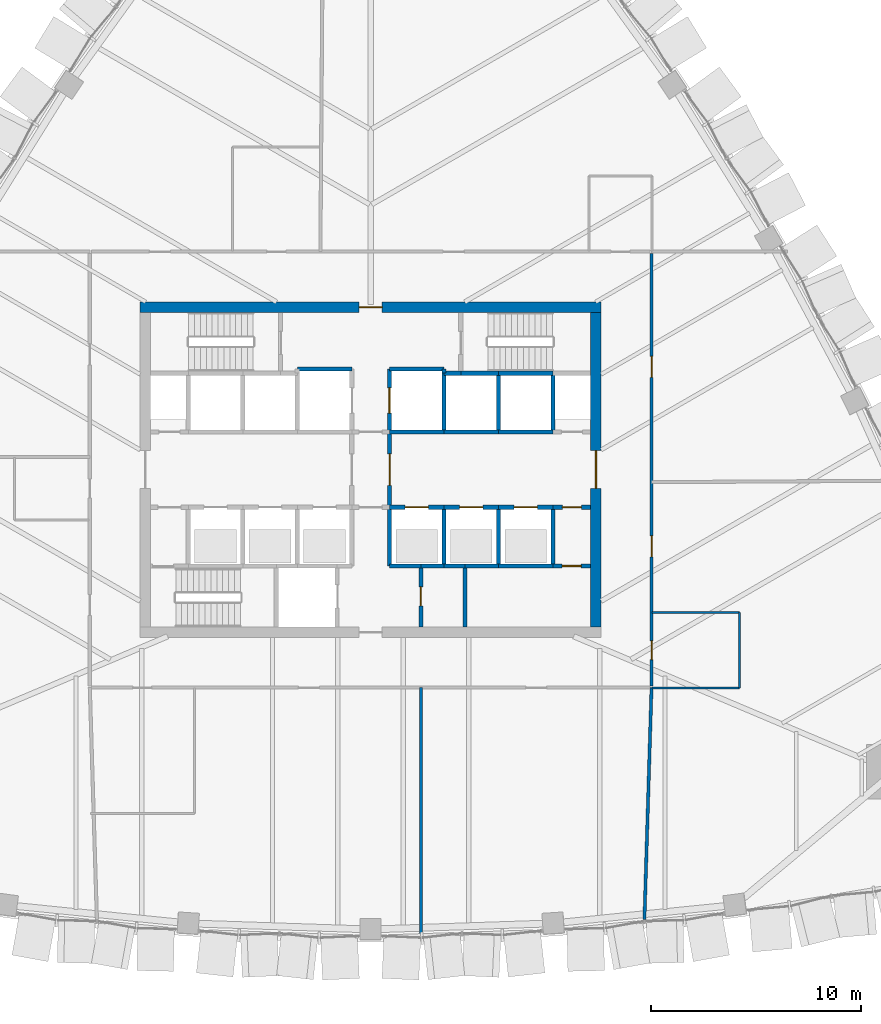
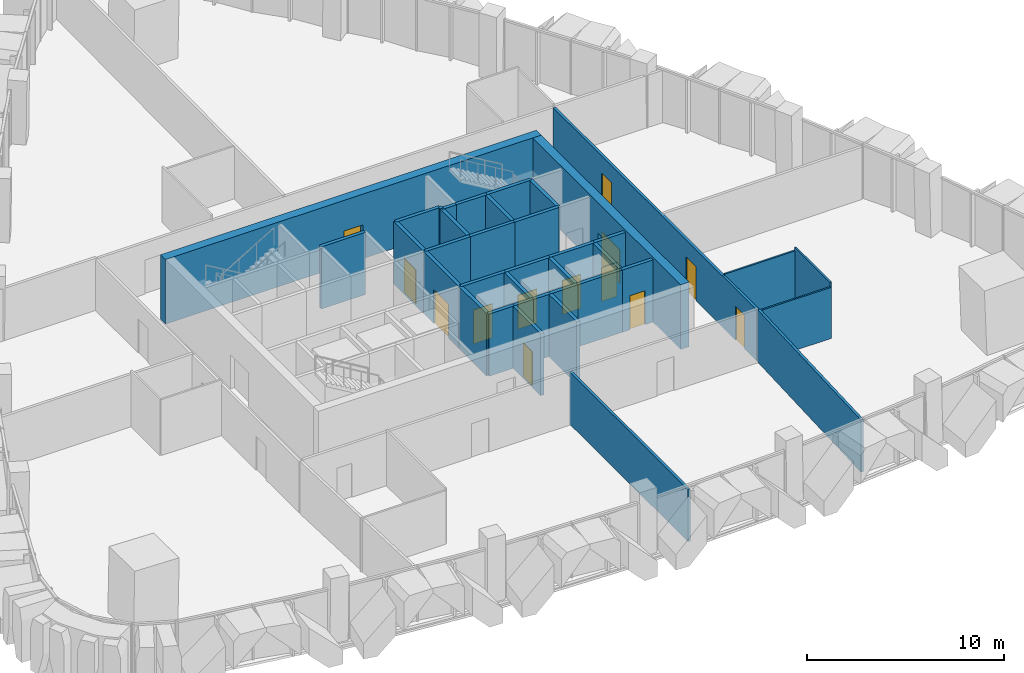
# One storey, part 13 of 18: 38 walls, 13 doors, 13 openings.
"""IFC4 building model written with IfcOpenShell, lengths in metres."""

from ifc_helpers import new_model, si_unit, direction, frame, frame_2d, origin, place, context, subcontext, project, spatial, rectangle, extrude, material, layer, layer_set, type_object, element, fill, save


model = new_model("IFC4")

# Units and contexts
model_context = context("Model", 3, precision=1e-05, world=origin(), true_north=direction((0.0, 1.0)))
body_context = subcontext(model_context, "Body", "Model", "MODEL_VIEW")
ifc_project = project(units=[si_unit("LENGTHUNIT", "METRE"), si_unit("AREAUNIT", "SQUARE_METRE"), si_unit("VOLUMEUNIT", "CUBIC_METRE"), si_unit("PLANEANGLEUNIT", "RADIAN"), si_unit("MASSUNIT", "GRAM", prefix="KILO")], contexts=[model_context])

# Site, building, storey
site_placement = place(None, origin())
site = spatial("IfcSite", under=ifc_project, at=site_placement, CompositionType="ELEMENT")
building_placement = place(site_placement, origin())
building = spatial("IfcBuilding", under=site, at=building_placement, Name="Sierra Prisma Convention Tower", CompositionType="ELEMENT")
storey_placement = place(building_placement, frame((0.0, 0.0, 129.800048828125)))
storey = spatial("IfcBuildingStorey", under=building, at=storey_placement, Name="L27", CompositionType="ELEMENT", Elevation=129.800048828125)

# Walls
ifc_material_1 = material(Name="Gypsum board partition", Category="gypsum")
ifc_layer_1 = layer(ifc_material_1, 0.10009765625)
ifc_layer_set_1 = layer_set([ifc_layer_1], Name="Bathroom partition 100")
wall_type_1 = type_object("IfcWallType", Name="Bathroom partition 100", PredefinedType="PARTITIONING", material=ifc_layer_set_1)
wall_1_placement = place(storey_placement, frame((13.429931640625, -6.820068359375, 0.0), z_axis=(0.0, 0.0, 1.0), x_axis=(1.0, 0.0, 0.0)))
element("IfcWall", 1, at=wall_1_placement, inside=storey, type_object=wall_type_1, Name="Partition L27 bath 10", PredefinedType="PARTITIONING", context=body_context, shape_type="SweptSolid", body=[
    extrude(rectangle(XDim=4.170166015625, YDim=0.10009765625, at=frame_2d((2.0849609375, 0.0))), origin(), (0.0, 0.0, 1.0), 3.2470703125),
])
wall_2_placement = place(storey_placement, frame((17.60009765625, -6.820068359375, 0.0), z_axis=(0.0, 0.0, 1.0), x_axis=(0.0, -1.0, 0.0)))
element("IfcWall", 2, at=wall_2_placement, inside=storey, type_object=wall_type_1, Name="Partition L27 bath 11", PredefinedType="PARTITIONING", context=body_context, shape_type="SweptSolid", body=[
    extrude(rectangle(XDim=3.599853515625, YDim=0.10009765625, at=frame_2d((1.7998046875, 0.0))), origin(), (0.0, 0.0, 1.0), 3.449951171875),
])
wall_3_placement = place(storey_placement, frame((17.60009765625, -10.419921875, 0.0), z_axis=(0.0, 0.0, 1.0), x_axis=(-1.0, 0.0, 0.0)))
element("IfcWall", 3, at=wall_3_placement, inside=storey, type_object=wall_type_1, Name="Partition L27 bath 12", PredefinedType="PARTITIONING", context=body_context, shape_type="SweptSolid", body=[
    extrude(rectangle(XDim=4.170166015625, YDim=0.10009765625, at=frame_2d((2.0849609375, 0.0))), origin(), (0.0, 0.0, 1.0), 3.166015625),
])
ifc_material_2 = material(Name="Concrete C30/37", Category="concrete")
ifc_layer_2 = layer(ifc_material_2, 0.199951171875)
ifc_layer_set_2 = layer_set([ifc_layer_2], Name="Core wall RC 200 C30/37")
wall_type_2 = type_object("IfcWallType", Name="Core wall RC 200 C30/37", PredefinedType="SOLIDWALL", material=ifc_layer_set_2)
wall_4_placement = place(storey_placement, frame((-0.89990234375, 4.800048828125, 0.0), z_axis=(0.0, 0.0, 1.0), x_axis=(-1.0, 0.0, 0.0)))
element("IfcWall", 4, at=wall_4_placement, inside=storey, type_object=wall_type_2, Name="Core wall L27 27", PredefinedType="SOLIDWALL", context=body_context, shape_type="SweptSolid", body=[
    extrude(rectangle(XDim=2.60009765625, YDim=0.199951171875, at=frame_2d((1.300048828125, 0.0))), origin(), (0.0, 0.0, 1.0), 3.849853515625),
])

# Wall, opening, door
wall_5_placement = place(storey_placement, frame((0.89990234375, -1.800048828125, 0.0), z_axis=(0.0, 0.0, 1.0), x_axis=(1.0, 0.0, 0.0)))
wall_5 = element("IfcWall", 5, at=wall_5_placement, inside=storey, type_object=wall_type_2, Name="Core wall L27 35", PredefinedType="SOLIDWALL", context=body_context, shape_type="SweptSolid", body=[
    extrude(rectangle(XDim=2.60009765625, YDim=0.199951171875, at=frame_2d((1.300048828125, 0.0))), origin(), (0.0, 0.0, 1.0), 3.849853515625),
])
opening_1_placement = place(wall_5_placement, frame((0.75, 0.0, 0.0)))
opening_1 = element("IfcOpeningElement", 6, at=opening_1_placement, cuts=wall_5, Name="Opening L27-D004", PredefinedType="OPENING", context=body_context, shape_type="SweptSolid", body=[
    extrude(rectangle(XDim=1.10009765625, YDim=2.10009765625, at=frame_2d((0.550048828125, 1.050048828125))), frame((0.0, 0.10009765625, 0.0), z_axis=(0.0, -1.0, 0.0), x_axis=(1.0, 0.0, 0.0)), (0.0, 0.0, 1.0), 0.199951171875),
])
ifc_material_3 = material(Name="Steel fire door leaf", Category="steel")
door_type_1 = type_object("IfcDoorType", Name="Door 1100x2100 EI 90 sliding lift landing", OperationType="SLIDING_TO_LEFT", PredefinedType="DOOR", material=ifc_material_3)
door_1_placement = place(opening_1_placement, origin())
door_1 = element("IfcDoor", 7, at=door_1_placement, inside=storey, type_object=door_type_1, Name="Door L27 17", OperationType="SLIDING_TO_RIGHT", OverallHeight=2.10009765625, OverallWidth=1.10009765625, PredefinedType="DOOR", context=body_context, shape_type="SweptSolid", body=[
    extrude(rectangle(XDim=1.10009765625, YDim=2.10009765625, at=frame_2d((0.550048828125, 1.050048828125))), frame((0.0, 0.02490234375, 0.0), z_axis=(0.0, -1.0, 0.0), x_axis=(1.0, 0.0, 0.0)), (0.0, 0.0, 1.0), 0.050048828125),
])
fill(opening_1, door_1)

wall_6_placement = place(storey_placement, frame((0.89990234375, -1.800048828125, 0.0), z_axis=(0.0, 0.0, 1.0), x_axis=(0.0, 1.0, 0.0)))
wall_6 = element("IfcWall", 8, at=wall_6_placement, inside=storey, type_object=wall_type_2, Name="Core wall L27 36", PredefinedType="SOLIDWALL", context=body_context, shape_type="SweptSolid", body=[
    extrude(rectangle(XDim=3.60009765625, YDim=0.199951171875, at=frame_2d((1.800048828125, 0.0))), origin(), (0.0, 0.0, 1.0), 3.849853515625),
])
opening_2_placement = place(wall_6_placement, frame((1.050048828125, 0.0, 0.0)))
opening_2 = element("IfcOpeningElement", 9, at=opening_2_placement, cuts=wall_6, Name="Opening L27-D011", PredefinedType="OPENING", context=body_context, shape_type="SweptSolid", body=[
    extrude(rectangle(XDim=1.5, YDim=2.10009765625, at=frame_2d((0.75, 1.050048828125))), frame((0.0, 0.10009765625, 0.0), z_axis=(0.0, -1.0, 0.0), x_axis=(1.0, 0.0, 0.0)), (0.0, 0.0, 1.0), 0.199951171875),
])
ifc_material_4 = material(Name="Steel fire door leaf", Category="steel")
door_type_2 = type_object("IfcDoorType", Name="Door 1500x2100 FD30S", OperationType="DOUBLE_DOOR_SINGLE_SWING", PredefinedType="DOOR", material=ifc_material_4)
door_2_placement = place(opening_2_placement, origin())
door_2 = element("IfcDoor", 10, at=door_2_placement, inside=storey, type_object=door_type_2, Name="Door L27 24", OperationType="DOUBLE_DOOR_SINGLE_SWING", OverallHeight=2.10009765625, OverallWidth=1.5, PredefinedType="DOOR", context=body_context, shape_type="SweptSolid", body=[
    extrude(rectangle(XDim=1.5, YDim=2.10009765625, at=frame_2d((0.75, 1.050048828125))), frame((0.0, 0.02490234375, 0.0), z_axis=(0.0, -1.0, 0.0), x_axis=(1.0, 0.0, 0.0)), (0.0, 0.0, 1.0), 0.050048828125),
])
fill(opening_2, door_2)

# Walls
wall_7_placement = place(storey_placement, frame((0.89990234375, -1.800048828125, 0.0), z_axis=(0.0, 0.0, 1.0), x_axis=(0.0, -1.0, 0.0)))
element("IfcWall", 11, at=wall_7_placement, inside=storey, type_object=wall_type_2, Name="Core wall L27 37", PredefinedType="SOLIDWALL", context=body_context, shape_type="SweptSolid", body=[
    extrude(rectangle(XDim=2.800048828125, YDim=0.199951171875, at=frame_2d((1.39990234375, 0.0))), origin(), (0.0, 0.0, 1.0), 3.849853515625),
])
wall_8_placement = place(storey_placement, frame((0.89990234375, -4.60009765625, 0.0), z_axis=(0.0, 0.0, 1.0), x_axis=(1.0, 0.0, 0.0)))
element("IfcWall", 12, at=wall_8_placement, inside=storey, type_object=wall_type_2, Name="Core wall L27 38", PredefinedType="SOLIDWALL", context=body_context, shape_type="SweptSolid", body=[
    extrude(rectangle(XDim=1.5, YDim=0.199951171875, at=frame_2d((0.75, 0.0))), origin(), (0.0, 0.0, 1.0), 3.849853515625),
])
wall_9_placement = place(storey_placement, frame((3.5, 1.800048828125, 0.0), z_axis=(0.0, 0.0, 1.0), x_axis=(-1.0, 0.0, 0.0)))
element("IfcWall", 13, at=wall_9_placement, inside=storey, type_object=wall_type_2, Name="Core wall L27 39", PredefinedType="SOLIDWALL", context=body_context, shape_type="SweptSolid", body=[
    extrude(rectangle(XDim=2.60009765625, YDim=0.199951171875, at=frame_2d((1.300048828125, 0.0))), origin(), (0.0, 0.0, 1.0), 3.849853515625),
])
wall_10_placement = place(storey_placement, frame((3.5, 4.60009765625, 0.0), z_axis=(0.0, 0.0, 1.0), x_axis=(0.0, 1.0, 0.0)))
element("IfcWall", 14, at=wall_10_placement, inside=storey, type_object=wall_type_2, Name="Core wall L27 40", PredefinedType="SOLIDWALL", context=body_context, shape_type="SweptSolid", body=[
    extrude(rectangle(XDim=0.199951171875, YDim=0.199951171875, at=frame_2d((0.10009765625, 0.0))), origin(), (0.0, 0.0, 1.0), 3.849853515625),
])
wall_11_placement = place(storey_placement, frame((3.5, 4.800048828125, 0.0), z_axis=(0.0, 0.0, 1.0), x_axis=(-1.0, 0.0, 0.0)))
element("IfcWall", 15, at=wall_11_placement, inside=storey, type_object=wall_type_2, Name="Core wall L27 41", PredefinedType="SOLIDWALL", context=body_context, shape_type="SweptSolid", body=[
    extrude(rectangle(XDim=2.60009765625, YDim=0.199951171875, at=frame_2d((1.300048828125, 0.0))), origin(), (0.0, 0.0, 1.0), 3.849853515625),
])

# Wall, opening, door
wall_12_placement = place(storey_placement, frame((0.89990234375, 4.800048828125, 0.0), z_axis=(0.0, 0.0, 1.0), x_axis=(0.0, -1.0, 0.0)))
wall_12 = element("IfcWall", 16, at=wall_12_placement, inside=storey, type_object=wall_type_2, Name="Core wall L27 42", PredefinedType="SOLIDWALL", context=body_context, shape_type="SweptSolid", body=[
    extrude(rectangle(XDim=3.0, YDim=0.199951171875, at=frame_2d((1.5, 0.0))), origin(), (0.0, 0.0, 1.0), 3.849853515625),
])
opening_3_placement = place(wall_12_placement, frame((0.89990234375, 0.0, 0.0)))
opening_3 = element("IfcOpeningElement", 17, at=opening_3_placement, cuts=wall_12, Name="Opening L27-D008", PredefinedType="OPENING", context=body_context, shape_type="SweptSolid", body=[
    extrude(rectangle(XDim=1.199951171875, YDim=2.10009765625, at=frame_2d((0.60009765625, 1.050048828125))), frame((0.0, 0.10009765625, 0.0), z_axis=(0.0, -1.0, 0.0), x_axis=(1.0, 0.0, 0.0)), (0.0, 0.0, 1.0), 0.199951171875),
])
ifc_material_5 = material(Name="Steel fire door leaf", Category="steel")
door_type_3 = type_object("IfcDoorType", Name="Door 1200x2100 EI 90 sliding lift landing", OperationType="SLIDING_TO_LEFT", PredefinedType="DOOR", material=ifc_material_5)
door_3_placement = place(opening_3_placement, origin())
door_3 = element("IfcDoor", 18, at=door_3_placement, inside=storey, type_object=door_type_3, Name="Door L27 21", OperationType="SLIDING_TO_LEFT", OverallHeight=2.10009765625, OverallWidth=1.199951171875, PredefinedType="DOOR", context=body_context, shape_type="SweptSolid", body=[
    extrude(rectangle(XDim=1.199951171875, YDim=2.10009765625, at=frame_2d((0.60009765625, 1.050048828125))), frame((0.0, 0.02490234375, 0.0), z_axis=(0.0, -1.0, 0.0), x_axis=(1.0, 0.0, 0.0)), (0.0, 0.0, 1.0), 0.050048828125),
])
fill(opening_3, door_3)

wall_13_placement = place(storey_placement, frame((2.39990234375, -4.60009765625, 0.0), z_axis=(0.0, 0.0, 1.0), x_axis=(0.0, -1.0, 0.0)))
wall_13 = element("IfcWall", 19, at=wall_13_placement, inside=storey, type_object=wall_type_2, Name="Core wall L27 43", PredefinedType="SOLIDWALL", context=body_context, shape_type="SweptSolid", body=[
    extrude(rectangle(XDim=2.89990234375, YDim=0.199951171875, at=frame_2d((1.449951171875, 0.0))), origin(), (0.0, 0.0, 1.0), 3.849853515625),
])
opening_4_placement = place(wall_13_placement, frame((1.0, 0.0, 0.0)))
opening_4 = element("IfcOpeningElement", 20, at=opening_4_placement, cuts=wall_13, Name="Opening L27-D022", PredefinedType="OPENING", context=body_context, shape_type="SweptSolid", body=[
    extrude(rectangle(XDim=0.89990234375, YDim=2.10009765625, at=frame_2d((0.449951171875, 1.050048828125))), frame((0.0, 0.10009765625, 0.0), z_axis=(0.0, -1.0, 0.0), x_axis=(1.0, 0.0, 0.0)), (0.0, 0.0, 1.0), 0.199951171875),
])
ifc_material_6 = material(Name="Steel fire door leaf", Category="steel")
door_type_4 = type_object("IfcDoorType", Name="Door 900x2100 FD30S", OperationType="SINGLE_SWING_LEFT", PredefinedType="DOOR", material=ifc_material_6)
door_4_placement = place(opening_4_placement, origin())
door_4 = element("IfcDoor", 21, at=door_4_placement, inside=storey, type_object=door_type_4, Name="Door L27 35", OperationType="SINGLE_SWING_LEFT", OverallHeight=2.10009765625, OverallWidth=0.89990234375, PredefinedType="DOOR", context=body_context, shape_type="SweptSolid", body=[
    extrude(rectangle(XDim=0.89990234375, YDim=2.10009765625, at=frame_2d((0.449951171875, 1.050048828125))), frame((0.0, 0.02490234375, 0.0), z_axis=(0.0, -1.0, 0.0), x_axis=(1.0, 0.0, 0.0)), (0.0, 0.0, 1.0), 0.050048828125),
])
fill(opening_4, door_4)

# Walls
wall_14_placement = place(storey_placement, frame((3.5, -4.60009765625, 0.0), z_axis=(0.0, 0.0, 1.0), x_axis=(-1.0, 0.0, 0.0)))
element("IfcWall", 22, at=wall_14_placement, inside=storey, type_object=wall_type_2, Name="Core wall L27 44", PredefinedType="SOLIDWALL", context=body_context, shape_type="SweptSolid", body=[
    extrude(rectangle(XDim=1.10009765625, YDim=0.199951171875, at=frame_2d((0.550048828125, 0.0))), origin(), (0.0, 0.0, 1.0), 3.849853515625),
])
wall_15_placement = place(storey_placement, frame((4.5, -4.60009765625, 0.0), z_axis=(0.0, 0.0, 1.0), x_axis=(-1.0, 0.0, 0.0)))
element("IfcWall", 23, at=wall_15_placement, inside=storey, type_object=wall_type_2, Name="Core wall L27 45", PredefinedType="SOLIDWALL", context=body_context, shape_type="SweptSolid", body=[
    extrude(rectangle(XDim=1.0, YDim=0.199951171875, at=frame_2d((0.5, 0.0))), origin(), (0.0, 0.0, 1.0), 3.849853515625),
])
wall_16_placement = place(storey_placement, frame((3.5, -4.60009765625, 0.0), z_axis=(0.0, 0.0, 1.0), x_axis=(0.0, 1.0, 0.0)))
element("IfcWall", 24, at=wall_16_placement, inside=storey, type_object=wall_type_2, Name="Core wall L27 46", PredefinedType="SOLIDWALL", context=body_context, shape_type="SweptSolid", body=[
    extrude(rectangle(XDim=2.800048828125, YDim=0.199951171875, at=frame_2d((1.39990234375, 0.0))), origin(), (0.0, 0.0, 1.0), 3.849853515625),
])

# Wall, opening, door
wall_17_placement = place(storey_placement, frame((3.5, -1.800048828125, 0.0), z_axis=(0.0, 0.0, 1.0), x_axis=(1.0, 0.0, 0.0)))
wall_17 = element("IfcWall", 25, at=wall_17_placement, inside=storey, type_object=wall_type_2, Name="Core wall L27 47", PredefinedType="SOLIDWALL", context=body_context, shape_type="SweptSolid", body=[
    extrude(rectangle(XDim=2.60009765625, YDim=0.199951171875, at=frame_2d((1.300048828125, 0.0))), origin(), (0.0, 0.0, 1.0), 3.849853515625),
])
opening_5_placement = place(wall_17_placement, frame((0.75, 0.0, 0.0)))
opening_5 = element("IfcOpeningElement", 26, at=opening_5_placement, cuts=wall_17, Name="Opening L27-D005", PredefinedType="OPENING", context=body_context, shape_type="SweptSolid", body=[
    extrude(rectangle(XDim=1.10009765625, YDim=2.10009765625, at=frame_2d((0.550048828125, 1.050048828125))), frame((0.0, 0.10009765625, 0.0), z_axis=(0.0, -1.0, 0.0), x_axis=(1.0, 0.0, 0.0)), (0.0, 0.0, 1.0), 0.199951171875),
])
door_5_placement = place(opening_5_placement, origin())
door_5 = element("IfcDoor", 27, at=door_5_placement, inside=storey, type_object=door_type_1, Name="Door L27 18", OperationType="SLIDING_TO_LEFT", OverallHeight=2.10009765625, OverallWidth=1.10009765625, PredefinedType="DOOR", context=body_context, shape_type="SweptSolid", body=[
    extrude(rectangle(XDim=1.10009765625, YDim=2.10009765625, at=frame_2d((0.550048828125, 1.050048828125))), frame((0.0, 0.02490234375, 0.0), z_axis=(0.0, -1.0, 0.0), x_axis=(1.0, 0.0, 0.0)), (0.0, 0.0, 1.0), 0.050048828125),
])
fill(opening_5, door_5)

# Walls
wall_18_placement = place(storey_placement, frame((6.10009765625, 1.800048828125, 0.0), z_axis=(0.0, 0.0, 1.0), x_axis=(-1.0, 0.0, 0.0)))
element("IfcWall", 28, at=wall_18_placement, inside=storey, type_object=wall_type_2, Name="Core wall L27 48", PredefinedType="SOLIDWALL", context=body_context, shape_type="SweptSolid", body=[
    extrude(rectangle(XDim=2.60009765625, YDim=0.199951171875, at=frame_2d((1.300048828125, 0.0))), origin(), (0.0, 0.0, 1.0), 3.849853515625),
])
wall_19_placement = place(storey_placement, frame((3.5, 1.800048828125, 0.0), z_axis=(0.0, 0.0, 1.0), x_axis=(0.0, 1.0, 0.0)))
element("IfcWall", 29, at=wall_19_placement, inside=storey, type_object=wall_type_2, Name="Core wall L27 49", PredefinedType="SOLIDWALL", context=body_context, shape_type="SweptSolid", body=[
    extrude(rectangle(XDim=2.800048828125, YDim=0.199951171875, at=frame_2d((1.39990234375, 0.0))), origin(), (0.0, 0.0, 1.0), 3.849853515625),
])
wall_20_placement = place(storey_placement, frame((4.300048828125, 4.60009765625, 0.0), z_axis=(0.0, 0.0, 1.0), x_axis=(-1.0, 0.0, 0.0)))
element("IfcWall", 30, at=wall_20_placement, inside=storey, type_object=wall_type_2, Name="Core wall L27 50", PredefinedType="SOLIDWALL", context=body_context, shape_type="SweptSolid", body=[
    extrude(rectangle(XDim=0.800048828125, YDim=0.199951171875, at=frame_2d((0.39990234375, 0.0))), origin(), (0.0, 0.0, 1.0), 3.849853515625),
])
wall_21_placement = place(storey_placement, frame((6.10009765625, 4.60009765625, 0.0), z_axis=(0.0, 0.0, 1.0), x_axis=(-1.0, 0.0, 0.0)))
element("IfcWall", 31, at=wall_21_placement, inside=storey, type_object=wall_type_2, Name="Core wall L27 51", PredefinedType="SOLIDWALL", context=body_context, shape_type="SweptSolid", body=[
    extrude(rectangle(XDim=1.800048828125, YDim=0.199951171875, at=frame_2d((0.89990234375, 0.0))), origin(), (0.0, 0.0, 1.0), 3.849853515625),
])
wall_22_placement = place(storey_placement, frame((4.5, -4.60009765625, 0.0), z_axis=(0.0, 0.0, 1.0), x_axis=(0.0, -1.0, 0.0)))
element("IfcWall", 32, at=wall_22_placement, inside=storey, type_object=wall_type_2, Name="Core wall L27 53", PredefinedType="SOLIDWALL", context=body_context, shape_type="SweptSolid", body=[
    extrude(rectangle(XDim=2.89990234375, YDim=0.199951171875, at=frame_2d((1.449951171875, 0.0))), origin(), (0.0, 0.0, 1.0), 3.849853515625),
])
wall_23_placement = place(storey_placement, frame((6.10009765625, -4.60009765625, 0.0), z_axis=(0.0, 0.0, 1.0), x_axis=(-1.0, 0.0, 0.0)))
element("IfcWall", 33, at=wall_23_placement, inside=storey, type_object=wall_type_2, Name="Core wall L27 54", PredefinedType="SOLIDWALL", context=body_context, shape_type="SweptSolid", body=[
    extrude(rectangle(XDim=1.60009765625, YDim=0.199951171875, at=frame_2d((0.800048828125, 0.0))), origin(), (0.0, 0.0, 1.0), 3.849853515625),
])
wall_24_placement = place(storey_placement, frame((8.699951171875, -4.60009765625, 0.0), z_axis=(0.0, 0.0, 1.0), x_axis=(-1.0, 0.0, 0.0)))
element("IfcWall", 34, at=wall_24_placement, inside=storey, type_object=wall_type_2, Name="Core wall L27 55", PredefinedType="SOLIDWALL", context=body_context, shape_type="SweptSolid", body=[
    extrude(rectangle(XDim=2.599853515625, YDim=0.199951171875, at=frame_2d((1.2998046875, 0.0))), origin(), (0.0, 0.0, 1.0), 3.849853515625),
])
wall_25_placement = place(storey_placement, frame((6.10009765625, -4.60009765625, 0.0), z_axis=(0.0, 0.0, 1.0), x_axis=(0.0, 1.0, 0.0)))
element("IfcWall", 35, at=wall_25_placement, inside=storey, type_object=wall_type_2, Name="Core wall L27 56", PredefinedType="SOLIDWALL", context=body_context, shape_type="SweptSolid", body=[
    extrude(rectangle(XDim=2.800048828125, YDim=0.199951171875, at=frame_2d((1.39990234375, 0.0))), origin(), (0.0, 0.0, 1.0), 3.849853515625),
])

# Wall, opening, door
wall_26_placement = place(storey_placement, frame((6.10009765625, -1.800048828125, 0.0), z_axis=(0.0, 0.0, 1.0), x_axis=(1.0, 0.0, 0.0)))
wall_26 = element("IfcWall", 36, at=wall_26_placement, inside=storey, type_object=wall_type_2, Name="Core wall L27 57", PredefinedType="SOLIDWALL", context=body_context, shape_type="SweptSolid", body=[
    extrude(rectangle(XDim=2.599853515625, YDim=0.199951171875, at=frame_2d((1.2998046875, 0.0))), origin(), (0.0, 0.0, 1.0), 3.849853515625),
])
opening_6_placement = place(wall_26_placement, frame((0.75, 0.0, 0.0)))
opening_6 = element("IfcOpeningElement", 37, at=opening_6_placement, cuts=wall_26, Name="Opening L27-D006", PredefinedType="OPENING", context=body_context, shape_type="SweptSolid", body=[
    extrude(rectangle(XDim=1.10009765625, YDim=2.10009765625, at=frame_2d((0.550048828125, 1.050048828125))), frame((0.0, 0.10009765625, 0.0), z_axis=(0.0, -1.0, 0.0), x_axis=(1.0, 0.0, 0.0)), (0.0, 0.0, 1.0), 0.199951171875),
])
door_6_placement = place(opening_6_placement, origin())
door_6 = element("IfcDoor", 38, at=door_6_placement, inside=storey, type_object=door_type_1, Name="Door L27 19", OperationType="SLIDING_TO_LEFT", OverallHeight=2.10009765625, OverallWidth=1.10009765625, PredefinedType="DOOR", context=body_context, shape_type="SweptSolid", body=[
    extrude(rectangle(XDim=1.10009765625, YDim=2.10009765625, at=frame_2d((0.550048828125, 1.050048828125))), frame((0.0, 0.02490234375, 0.0), z_axis=(0.0, -1.0, 0.0), x_axis=(1.0, 0.0, 0.0)), (0.0, 0.0, 1.0), 0.050048828125),
])
fill(opening_6, door_6)

# Walls
wall_27_placement = place(storey_placement, frame((8.699951171875, 1.800048828125, 0.0), z_axis=(0.0, 0.0, 1.0), x_axis=(-1.0, 0.0, 0.0)))
element("IfcWall", 39, at=wall_27_placement, inside=storey, type_object=wall_type_2, Name="Core wall L27 58", PredefinedType="SOLIDWALL", context=body_context, shape_type="SweptSolid", body=[
    extrude(rectangle(XDim=2.599853515625, YDim=0.199951171875, at=frame_2d((1.2998046875, 0.0))), origin(), (0.0, 0.0, 1.0), 3.849853515625),
])
wall_28_placement = place(storey_placement, frame((6.10009765625, 1.800048828125, 0.0), z_axis=(0.0, 0.0, 1.0), x_axis=(0.0, 1.0, 0.0)))
element("IfcWall", 40, at=wall_28_placement, inside=storey, type_object=wall_type_2, Name="Core wall L27 59", PredefinedType="SOLIDWALL", context=body_context, shape_type="SweptSolid", body=[
    extrude(rectangle(XDim=2.800048828125, YDim=0.199951171875, at=frame_2d((1.39990234375, 0.0))), origin(), (0.0, 0.0, 1.0), 3.849853515625),
])
wall_29_placement = place(storey_placement, frame((8.699951171875, 4.60009765625, 0.0), z_axis=(0.0, 0.0, 1.0), x_axis=(-1.0, 0.0, 0.0)))
element("IfcWall", 41, at=wall_29_placement, inside=storey, type_object=wall_type_2, Name="Core wall L27 60", PredefinedType="SOLIDWALL", context=body_context, shape_type="SweptSolid", body=[
    extrude(rectangle(XDim=2.599853515625, YDim=0.199951171875, at=frame_2d((1.2998046875, 0.0))), origin(), (0.0, 0.0, 1.0), 3.849853515625),
])

# Wall, opening, door
wall_30_placement = place(storey_placement, frame((10.5, -4.60009765625, 0.0), z_axis=(0.0, 0.0, 1.0), x_axis=(-1.0, 0.0, 0.0)))
wall_30 = element("IfcWall", 42, at=wall_30_placement, inside=storey, type_object=wall_type_2, Name="Core wall L27 61", PredefinedType="SOLIDWALL", context=body_context, shape_type="SweptSolid", body=[
    extrude(rectangle(XDim=1.800048828125, YDim=0.199951171875, at=frame_2d((0.89990234375, 0.0))), origin(), (0.0, 0.0, 1.0), 3.849853515625),
])
opening_7_placement = place(wall_30_placement, frame((0.4599609375, 0.0, 0.0)))
opening_7 = element("IfcOpeningElement", 43, at=opening_7_placement, cuts=wall_30, Name="Opening L27-D020", PredefinedType="OPENING", context=body_context, shape_type="SweptSolid", body=[
    extrude(rectangle(XDim=0.89990234375, YDim=2.10009765625, at=frame_2d((0.449951171875, 1.050048828125))), frame((0.0, 0.10009765625, 0.0), z_axis=(0.0, -1.0, 0.0), x_axis=(1.0, 0.0, 0.0)), (0.0, 0.0, 1.0), 0.199951171875),
])
door_7_placement = place(opening_7_placement, origin())
door_7 = element("IfcDoor", 44, at=door_7_placement, inside=storey, type_object=door_type_4, Name="Door L27 33", OperationType="SINGLE_SWING_LEFT", OverallHeight=2.10009765625, OverallWidth=0.89990234375, PredefinedType="DOOR", context=body_context, shape_type="SweptSolid", body=[
    extrude(rectangle(XDim=0.89990234375, YDim=2.10009765625, at=frame_2d((0.449951171875, 1.050048828125))), frame((0.0, 0.02490234375, 0.0), z_axis=(0.0, -1.0, 0.0), x_axis=(1.0, 0.0, 0.0)), (0.0, 0.0, 1.0), 0.050048828125),
])
fill(opening_7, door_7)

# Wall
wall_31_placement = place(storey_placement, frame((8.699951171875, -1.800048828125, 0.0), z_axis=(0.0, 0.0, 1.0), x_axis=(0.0, -1.0, 0.0)))
element("IfcWall", 45, at=wall_31_placement, inside=storey, type_object=wall_type_2, Name="Core wall L27 62", PredefinedType="SOLIDWALL", context=body_context, shape_type="SweptSolid", body=[
    extrude(rectangle(XDim=2.800048828125, YDim=0.199951171875, at=frame_2d((1.39990234375, 0.0))), origin(), (0.0, 0.0, 1.0), 3.849853515625),
])

# Wall, opening, door
wall_32_placement = place(storey_placement, frame((8.699951171875, -1.800048828125, 0.0), z_axis=(0.0, 0.0, 1.0), x_axis=(1.0, 0.0, 0.0)))
wall_32 = element("IfcWall", 46, at=wall_32_placement, inside=storey, type_object=wall_type_2, Name="Core wall L27 63", PredefinedType="SOLIDWALL", context=body_context, shape_type="SweptSolid", body=[
    extrude(rectangle(XDim=1.800048828125, YDim=0.199951171875, at=frame_2d((0.89990234375, 0.0))), origin(), (0.0, 0.0, 1.0), 3.849853515625),
])
opening_8_placement = place(wall_32_placement, frame((0.449951171875, 0.0, 0.0)))
opening_8 = element("IfcOpeningElement", 47, at=opening_8_placement, cuts=wall_32, Name="Opening L27-D021", PredefinedType="OPENING", context=body_context, shape_type="SweptSolid", body=[
    extrude(rectangle(XDim=0.89990234375, YDim=2.10009765625, at=frame_2d((0.449951171875, 1.050048828125))), frame((0.0, 0.10009765625, 0.0), z_axis=(0.0, -1.0, 0.0), x_axis=(1.0, 0.0, 0.0)), (0.0, 0.0, 1.0), 0.199951171875),
])
door_8_placement = place(opening_8_placement, origin())
door_8 = element("IfcDoor", 48, at=door_8_placement, inside=storey, type_object=door_type_4, Name="Door L27 34", OperationType="SINGLE_SWING_RIGHT", OverallHeight=2.10009765625, OverallWidth=0.89990234375, PredefinedType="DOOR", context=body_context, shape_type="SweptSolid", body=[
    extrude(rectangle(XDim=0.89990234375, YDim=2.10009765625, at=frame_2d((0.449951171875, 1.050048828125))), frame((0.0, 0.02490234375, 0.0), z_axis=(0.0, -1.0, 0.0), x_axis=(1.0, 0.0, 0.0)), (0.0, 0.0, 1.0), 0.050048828125),
])
fill(opening_8, door_8)

# Wall
wall_33_placement = place(storey_placement, frame((8.699951171875, 4.60009765625, 0.0), z_axis=(0.0, 0.0, 1.0), x_axis=(0.0, -1.0, 0.0)))
element("IfcWall", 49, at=wall_33_placement, inside=storey, type_object=wall_type_2, Name="Core wall L27 65", PredefinedType="SOLIDWALL", context=body_context, shape_type="SweptSolid", body=[
    extrude(rectangle(XDim=2.800048828125, YDim=0.199951171875, at=frame_2d((1.39990234375, 0.0))), origin(), (0.0, 0.0, 1.0), 3.849853515625),
])

# Wall, opening, door
ifc_material_7 = material(Name="Concrete C60/75", Category="concrete")
ifc_layer_3 = layer(ifc_material_7, 0.5)
ifc_layer_set_3 = layer_set([ifc_layer_3], Name="Core wall RC 500 C60/75")
wall_type_3 = type_object("IfcWallType", Name="Core wall RC 500 C60/75", PredefinedType="SHEAR", material=ifc_layer_set_3)
wall_34_placement = place(storey_placement, frame((-11.0, 7.75, 0.0), z_axis=(0.0, 0.0, 1.0), x_axis=(1.0, 0.0, 0.0)))
wall_34 = element("IfcWall", 50, at=wall_34_placement, inside=storey, type_object=wall_type_3, Name="Core wall N L27", PredefinedType="SHEAR", context=body_context, shape_type="SweptSolid", body=[
    extrude(rectangle(XDim=22.0, YDim=0.5, at=frame_2d((11.0, 0.0))), origin(), (0.0, 0.0, 1.0), 4.0),
])
opening_9_placement = place(wall_34_placement, frame((10.449951171875, 0.0, 0.0)))
opening_9 = element("IfcOpeningElement", 51, at=opening_9_placement, cuts=wall_34, Name="Opening L27-D037", PredefinedType="OPENING", context=body_context, shape_type="SweptSolid", body=[
    extrude(rectangle(XDim=1.10009765625, YDim=2.10009765625, at=frame_2d((0.550048828125, 1.050048828125))), frame((0.0, 0.25, 0.0), z_axis=(0.0, -1.0, 0.0), x_axis=(1.0, 0.0, 0.0)), (0.0, 0.0, 1.0), 0.5),
])
ifc_material_8 = material(Name="Steel fire door leaf", Category="steel")
door_type_5 = type_object("IfcDoorType", Name="Door 1100x2100 FD60S", OperationType="SINGLE_SWING_LEFT", PredefinedType="DOOR", material=ifc_material_8)
door_9_placement = place(opening_9_placement, origin())
door_9 = element("IfcDoor", 52, at=door_9_placement, inside=storey, type_object=door_type_5, Name="Door L27 38", OperationType="SINGLE_SWING_RIGHT", OverallHeight=2.10009765625, OverallWidth=1.10009765625, PredefinedType="DOOR", context=body_context, shape_type="SweptSolid", body=[
    extrude(rectangle(XDim=1.10009765625, YDim=2.10009765625, at=frame_2d((0.550048828125, 1.050048828125))), frame((0.0, 0.02490234375, 0.0), z_axis=(0.0, -1.0, 0.0), x_axis=(1.0, 0.0, 0.0)), (0.0, 0.0, 1.0), 0.050048828125),
])
fill(opening_9, door_9)

wall_35_placement = place(storey_placement, frame((10.75, -7.5, 0.0), z_axis=(0.0, 0.0, 1.0), x_axis=(0.0, 1.0, 0.0)))
wall_35 = element("IfcWall", 53, at=wall_35_placement, inside=storey, type_object=wall_type_3, Name="Core wall E L27", PredefinedType="SHEAR", context=body_context, shape_type="SweptSolid", body=[
    extrude(rectangle(XDim=15.0, YDim=0.5, at=frame_2d((7.5, 0.0))), origin(), (0.0, 0.0, 1.0), 4.0),
])
opening_10_placement = place(wall_35_placement, frame((6.60009765625, 0.0, 0.0)))
opening_10 = element("IfcOpeningElement", 54, at=opening_10_placement, cuts=wall_35, Name="Opening L27-D036", PredefinedType="OPENING", context=body_context, shape_type="SweptSolid", body=[
    extrude(rectangle(XDim=1.800048828125, YDim=2.10009765625, at=frame_2d((0.89990234375, 1.050048828125))), frame((0.0, 0.25, 0.0), z_axis=(0.0, -1.0, 0.0), x_axis=(1.0, 0.0, 0.0)), (0.0, 0.0, 1.0), 0.5),
])
ifc_material_9 = material(Name="Steel fire door leaf", Category="steel")
door_type_6 = type_object("IfcDoorType", Name="Door 1800x2100 FD60S", OperationType="DOUBLE_DOOR_SINGLE_SWING", PredefinedType="DOOR", material=ifc_material_9)
door_10_placement = place(opening_10_placement, origin())
door_10 = element("IfcDoor", 55, at=door_10_placement, inside=storey, type_object=door_type_6, Name="Door L27 37", OperationType="DOUBLE_DOOR_SINGLE_SWING", OverallHeight=2.10009765625, OverallWidth=1.800048828125, PredefinedType="DOOR", context=body_context, shape_type="SweptSolid", body=[
    extrude(rectangle(XDim=1.800048828125, YDim=2.10009765625, at=frame_2d((0.89990234375, 1.050048828125))), frame((0.0, 0.02490234375, 0.0), z_axis=(0.0, -1.0, 0.0), x_axis=(1.0, 0.0, 0.0)), (0.0, 0.0, 1.0), 0.050048828125),
])
fill(opening_10, door_10)

# Wall, openings, doors
ifc_material_10 = material(Name="Gypsum board partition", Category="gypsum")
ifc_layer_4 = layer(ifc_material_10, 0.14990234375)
ifc_layer_set_4 = layer_set([ifc_layer_4], Name="Corridor wall 150 gypsum EI 60")
wall_type_4 = type_object("IfcWallType", Name="Corridor wall 150 gypsum EI 60", PredefinedType="PARTITIONING", material=ifc_layer_set_4)
wall_36_placement = place(storey_placement, frame((13.39990234375, -10.320068359375, 0.0), z_axis=(0.0, 0.0, 1.0), x_axis=(0.0, 1.0, 0.0)))
wall_36 = element("IfcWall", 56, at=wall_36_placement, inside=storey, type_object=wall_type_4, Name="Partition L27 corr 4", PredefinedType="PARTITIONING", context=body_context, shape_type="SweptSolid", body=[
    extrude(rectangle(XDim=20.64013671875, YDim=0.14990234375, at=frame_2d((10.320068359375, 0.0))), origin(), (0.0, 0.0, 1.0), 3.166015625),
])
opening_11_placement = place(wall_36_placement, frame((14.719970703125, 0.0, 0.0)))
opening_11 = element("IfcOpeningElement", 57, at=opening_11_placement, cuts=wall_36, Name="Opening L27-D023", PredefinedType="OPENING", context=body_context, shape_type="SweptSolid", body=[
    extrude(rectangle(XDim=1.0, YDim=2.10009765625, at=frame_2d((0.5, 1.050048828125))), frame((0.0, 0.074951171875, 0.0), z_axis=(0.0, -1.0, 0.0), x_axis=(1.0, 0.0, 0.0)), (0.0, 0.0, 1.0), 0.14990234375),
])
opening_12_placement = place(wall_36_placement, frame((1.25, 0.0, 0.0)))
opening_12 = element("IfcOpeningElement", 58, at=opening_12_placement, cuts=wall_36, Name="Opening L27-D034", PredefinedType="OPENING", context=body_context, shape_type="SweptSolid", body=[
    extrude(rectangle(XDim=0.89990234375, YDim=2.10009765625, at=frame_2d((0.449951171875, 1.050048828125))), frame((0.0, 0.074951171875, 0.0), z_axis=(0.0, -1.0, 0.0), x_axis=(1.0, 0.0, 0.0)), (0.0, 0.0, 1.0), 0.14990234375),
])
opening_13_placement = place(wall_36_placement, frame((6.159912109375, 0.0, 0.0)))
opening_13 = element("IfcOpeningElement", 59, at=opening_13_placement, cuts=wall_36, Name="Opening L27-D035", PredefinedType="OPENING", context=body_context, shape_type="SweptSolid", body=[
    extrude(rectangle(XDim=1.0, YDim=2.10009765625, at=frame_2d((0.5, 1.050048828125))), frame((0.0, 0.074951171875, 0.0), z_axis=(0.0, -1.0, 0.0), x_axis=(1.0, 0.0, 0.0)), (0.0, 0.0, 1.0), 0.14990234375),
])
ifc_material_11 = material(Name="Steel fire door leaf", Category="steel")
door_type_7 = type_object("IfcDoorType", Name="Door 1000x2100 FD30S", OperationType="SINGLE_SWING_LEFT", PredefinedType="DOOR", material=ifc_material_11)
door_11_placement = place(opening_11_placement, origin())
door_11 = element("IfcDoor", 60, at=door_11_placement, inside=storey, type_object=door_type_7, Name="Door L27 1", OperationType="SINGLE_SWING_RIGHT", OverallHeight=2.10009765625, OverallWidth=1.0, PredefinedType="DOOR", context=body_context, shape_type="SweptSolid", body=[
    extrude(rectangle(XDim=1.0, YDim=2.10009765625, at=frame_2d((0.5, 1.050048828125))), frame((0.0, 0.02490234375, 0.0), z_axis=(0.0, -1.0, 0.0), x_axis=(1.0, 0.0, 0.0)), (0.0, 0.0, 1.0), 0.050048828125),
])
fill(opening_11, door_11)
door_12_placement = place(opening_13_placement, origin())
door_12 = element("IfcDoor", 61, at=door_12_placement, inside=storey, type_object=door_type_7, Name="Door L27 13", OperationType="SINGLE_SWING_LEFT", OverallHeight=2.10009765625, OverallWidth=1.0, PredefinedType="DOOR", context=body_context, shape_type="SweptSolid", body=[
    extrude(rectangle(XDim=1.0, YDim=2.10009765625, at=frame_2d((0.5, 1.050048828125))), frame((0.0, 0.02490234375, 0.0), z_axis=(0.0, -1.0, 0.0), x_axis=(1.0, 0.0, 0.0)), (0.0, 0.0, 1.0), 0.050048828125),
])
fill(opening_13, door_12)
door_13_placement = place(opening_12_placement, origin())
door_13 = element("IfcDoor", 62, at=door_13_placement, inside=storey, type_object=door_type_4, Name="Door L27 12", OperationType="SINGLE_SWING_LEFT", OverallHeight=2.10009765625, OverallWidth=0.89990234375, PredefinedType="DOOR", context=body_context, shape_type="SweptSolid", body=[
    extrude(rectangle(XDim=0.89990234375, YDim=2.10009765625, at=frame_2d((0.449951171875, 1.050048828125))), frame((0.0, 0.02490234375, 0.0), z_axis=(0.0, -1.0, 0.0), x_axis=(1.0, 0.0, 0.0)), (0.0, 0.0, 1.0), 0.050048828125),
])
fill(opening_12, door_13)

# Walls
ifc_material_12 = material(Name="Gypsum board partition", Category="gypsum")
ifc_layer_5 = layer(ifc_material_12, 0.14990234375)
ifc_layer_set_5 = layer_set([ifc_layer_5], Name="Party wall 150 gypsum")
wall_type_5 = type_object("IfcWallType", Name="Party wall 150 gypsum", PredefinedType="PARTITIONING", material=ifc_layer_set_5)
wall_37_placement = place(storey_placement, frame((2.39990234375, -10.39990234375, 0.0), z_axis=(0.0, 0.0, 1.0), x_axis=(0.0, -1.0, 0.0)))
element("IfcWall", 63, at=wall_37_placement, inside=storey, type_object=wall_type_5, Name="Partition L27 party 5", PredefinedType="PARTITIONING", context=body_context, shape_type="SweptSolid", body=[
    extrude(rectangle(XDim=11.995361328125, YDim=0.14990234375, at=frame_2d((5.99755859375, 0.0))), origin(), (0.0, 0.0, 1.0), 3.23388671875),
])
wall_38_placement = place(storey_placement, frame((13.39990234375, -10.39990234375, 0.0), z_axis=(0.0, 0.0, 1.0), x_axis=(-0.030597011899, -0.999531801827, 0.0)))
element("IfcWall", 64, at=wall_38_placement, inside=storey, type_object=wall_type_5, Name="Partition L27 party 6", PredefinedType="PARTITIONING", context=body_context, shape_type="SweptSolid", body=[
    extrude(rectangle(XDim=11.067138671875, YDim=0.14990234375, at=frame_2d((5.53369140625, 0.0))), origin(), (0.0, 0.0, 1.0), 3.23388671875),
])

save(model, "model.ifc")
